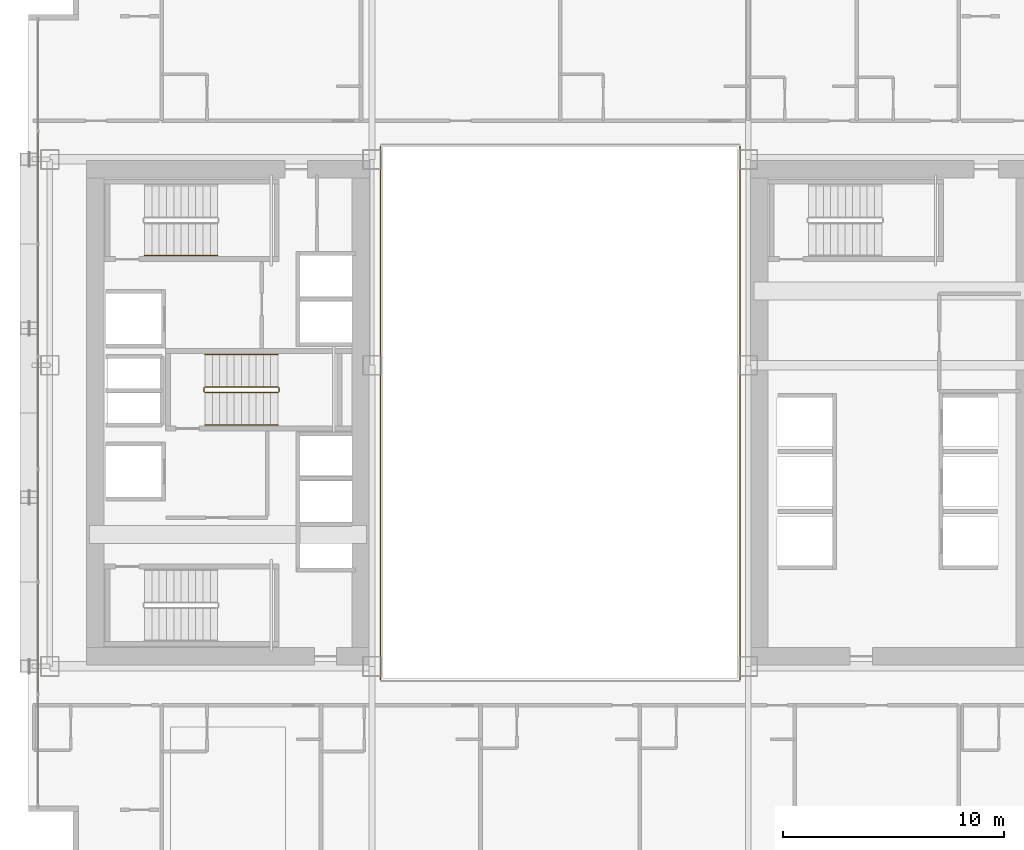
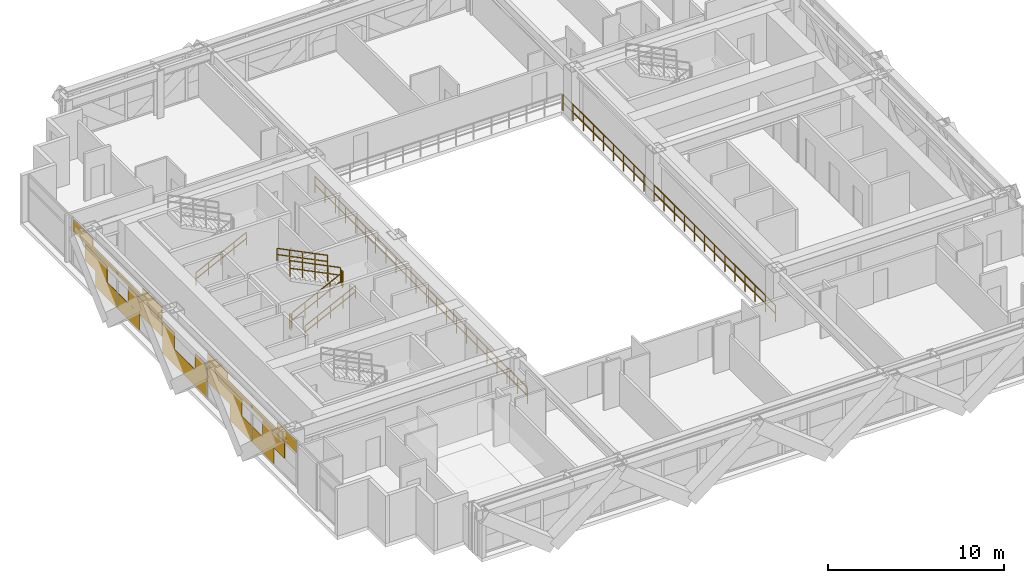
# One storey, part 33 of 35: 9 railings, 1 covering.
"""IFC4 building model written with IfcOpenShell, lengths in metres."""

from ifc_helpers import new_model, si_unit, direction, frame, origin, origin_2d, place, context, subcontext, project, spatial, rectangle, extrude, material, layer, layer_set, type_object, element, save


model = new_model("IFC4")

# Units and contexts
model_context = context("Model", 3, precision=1e-05, world=origin(), true_north=direction((0.0, 1.0)))
body_context = subcontext(model_context, "Body", "Model", "MODEL_VIEW")
ifc_project = project(units=[si_unit("LENGTHUNIT", "METRE"), si_unit("AREAUNIT", "SQUARE_METRE"), si_unit("VOLUMEUNIT", "CUBIC_METRE"), si_unit("PLANEANGLEUNIT", "RADIAN"), si_unit("MASSUNIT", "GRAM", prefix="KILO")], contexts=[model_context])

# Site, building, storey
site_placement = place(None, origin())
site = spatial("IfcSite", under=ifc_project, at=site_placement, CompositionType="ELEMENT")
building_placement = place(site_placement, origin())
building = spatial("IfcBuilding", under=site, at=building_placement, Name="Ocotamira Hotel", CompositionType="ELEMENT")
storey_placement = place(building_placement, frame((0.0, 0.0, 81.60009765625)))
storey = spatial("IfcBuildingStorey", under=building, at=storey_placement, Name="L20", CompositionType="ELEMENT", Elevation=81.60009765625)

# Covering
ifc_material_1 = material(Name="Insulated pale-metal aluminium spandrel panel", Category="aluminium")
ifc_layer = layer(ifc_material_1, 0.044921875)
ifc_layer_set = layer_set([ifc_layer], Name="Insulated pale-metal aluminium spandrel panel")
covering_type = type_object("IfcCoveringType", Name="COV-INFILL-45", PredefinedType="CLADDING", material=ifc_layer_set)
covering_placement = place(storey_placement, origin())
element("IfcCovering", 1, at=covering_placement, inside=storey, type_object=covering_type, Name="L20 Curtain Wall Infill CW-2 CW-L20-W", PredefinedType="CLADDING", context=body_context, shape_type="SweptSolid", body=[
    extrude(rectangle(XDim=2.533935546875, YDim=0.044921875, at=origin_2d()), frame((8.419921875, 15.930419921875, 1.194091796875), z_axis=(0.0, 0.0, 1.0), x_axis=(0.0, 1.0, 0.0)), (0.0, 0.0, 1.0), 1.11767578125),
    extrude(rectangle(XDim=2.457763671875, YDim=0.044921875, at=origin_2d()), frame((8.419921875, 17.10205078125, 0.0751953125), z_axis=(0.0, 0.0, 1.0), x_axis=(0.0, 1.0, 0.0)), (0.0, 0.0, 1.0), 1.117919921875),
    extrude(rectangle(XDim=5.004638671875, YDim=0.044921875, at=origin_2d()), frame((8.419921875, 15.82861328125, 2.387939453125), z_axis=(0.0, 0.0, 1.0), x_axis=(0.0, 1.0, 0.0)), (0.0, 0.0, 1.0), 0.328125),
    extrude(rectangle(XDim=2.224853515625, YDim=0.044921875, at=origin_2d()), frame((8.419921875, 14.438720703125, 2.717041015625), z_axis=(0.0, 0.0, 1.0), x_axis=(0.0, 1.0, 0.0)), (0.0, 0.0, 1.0), 0.4873046875),
    extrude(rectangle(XDim=2.4482421875, YDim=0.044921875, at=origin_2d()), frame((8.419921875, 19.635986328125, 0.0751953125), z_axis=(0.0, 0.0, 1.0), x_axis=(0.0, 1.0, 0.0)), (0.0, 0.0, 1.0), 1.117919921875),
    extrude(rectangle(XDim=3.881103515625, YDim=0.044921875, at=origin_2d()), frame((8.419921875, 21.476318359375, 1.194091796875), z_axis=(0.0, 0.0, 1.0), x_axis=(0.0, 1.0, 0.0)), (0.0, 0.0, 1.0), 1.11767578125),
    extrude(rectangle(XDim=5.004638671875, YDim=0.044921875, at=origin_2d()), frame((8.419921875, 20.914306640625, 2.387939453125), z_axis=(0.0, 0.0, 1.0), x_axis=(0.0, 1.0, 0.0)), (0.0, 0.0, 1.0), 0.328125),
    extrude(rectangle(XDim=2.234375, YDim=0.044921875, at=origin_2d()), frame((8.419921875, 22.29931640625, 2.717041015625), z_axis=(0.0, 0.0, 1.0), x_axis=(0.0, 1.0, 0.0)), (0.0, 0.0, 1.0), 0.4873046875),
    extrude(rectangle(XDim=5.004638671875, YDim=0.044921875, at=origin_2d()), frame((8.419921875, 26.0, 0.0751953125), z_axis=(0.0, 0.0, 1.0), x_axis=(0.0, 1.0, 0.0)), (0.0, 0.0, 1.0), 1.117919921875),
    extrude(rectangle(XDim=1.333251953125, YDim=0.044921875, at=origin_2d()), frame((8.419921875, 24.164306640625, 1.194091796875), z_axis=(0.0, 0.0, 1.0), x_axis=(0.0, 1.0, 0.0)), (0.0, 0.0, 1.0), 1.11767578125),
    extrude(rectangle(XDim=1.333251953125, YDim=0.044921875, at=origin_2d()), frame((8.419921875, 27.835693359375, 1.194091796875), z_axis=(0.0, 0.0, 1.0), x_axis=(0.0, 1.0, 0.0)), (0.0, 0.0, 1.0), 1.11767578125),
    extrude(rectangle(XDim=3.881103515625, YDim=0.044921875, at=origin_2d()), frame((8.419921875, 30.523681640625, 1.194091796875), z_axis=(0.0, 0.0, 1.0), x_axis=(0.0, 1.0, 0.0)), (0.0, 0.0, 1.0), 1.11767578125),
    extrude(rectangle(XDim=2.4482421875, YDim=0.044921875, at=origin_2d()), frame((8.419921875, 32.364013671875, 0.0751953125), z_axis=(0.0, 0.0, 1.0), x_axis=(0.0, 1.0, 0.0)), (0.0, 0.0, 1.0), 1.117919921875),
    extrude(rectangle(XDim=5.004638671875, YDim=0.044921875, at=origin_2d()), frame((8.419921875, 31.085693359375, 2.387939453125), z_axis=(0.0, 0.0, 1.0), x_axis=(0.0, 1.0, 0.0)), (0.0, 0.0, 1.0), 0.328125),
    extrude(rectangle(XDim=2.234375, YDim=0.044921875, at=origin_2d()), frame((8.419921875, 29.70068359375, 2.717041015625), z_axis=(0.0, 0.0, 1.0), x_axis=(0.0, 1.0, 0.0)), (0.0, 0.0, 1.0), 0.4873046875),
    extrude(rectangle(XDim=2.457763671875, YDim=0.044921875, at=origin_2d()), frame((8.419921875, 34.89794921875, 0.0751953125), z_axis=(0.0, 0.0, 1.0), x_axis=(0.0, 1.0, 0.0)), (0.0, 0.0, 1.0), 1.117919921875),
    extrude(rectangle(XDim=2.533935546875, YDim=0.044921875, at=origin_2d()), frame((8.419921875, 36.069580078125, 1.194091796875), z_axis=(0.0, 0.0, 1.0), x_axis=(0.0, 1.0, 0.0)), (0.0, 0.0, 1.0), 1.11767578125),
    extrude(rectangle(XDim=5.004638671875, YDim=0.044921875, at=origin_2d()), frame((8.419921875, 36.17138671875, 2.387939453125), z_axis=(0.0, 0.0, 1.0), x_axis=(0.0, 1.0, 0.0)), (0.0, 0.0, 1.0), 0.328125),
    extrude(rectangle(XDim=2.224853515625, YDim=0.044921875, at=origin_2d()), frame((8.419921875, 37.561279296875, 2.717041015625), z_axis=(0.0, 0.0, 1.0), x_axis=(0.0, 1.0, 0.0)), (0.0, 0.0, 1.0), 0.4873046875),
])

# Railings
ifc_material_2 = material(Name="Painted steel stair guardrail", Category="steel")
railing_type_1 = type_object("IfcRailingType", Name="RL-EDGE-1150", PredefinedType="GUARDRAIL", material=ifc_material_2)
railing_1_placement = place(storey_placement, frame((40.1201171875, 13.9599609375, 0.0)))
element("IfcRailing", 2, at=railing_1_placement, inside=storey, type_object=railing_type_1, Name="L20 Central Atrium Edge Guardrail E", PredefinedType="GUARDRAIL", context=body_context, shape_type="SweptSolid", body=[
    extrude(rectangle(XDim=0.048095703125, YDim=0.048095703125, at=origin_2d()), frame((0.0, 0.0, 1.1259765625), z_axis=(0.0, 1.0, 0.0), x_axis=(-1.0, 0.0, 0.0)), (0.0, 0.0, 1.0), 24.080078125),
    extrude(rectangle(XDim=0.048095703125, YDim=0.048095703125, at=origin_2d()), frame((0.0, 0.0, 0.574951171875), z_axis=(0.0, 1.0, 0.0), x_axis=(-1.0, 0.0, 0.0)), (0.0, 0.0, 1.0), 24.080078125),
    extrude(rectangle(XDim=0.0419921875, YDim=0.0419921875, at=origin_2d()), origin(), (0.0, 0.0, 1.0), 1.101806640625),
    extrude(rectangle(XDim=0.0419921875, YDim=0.0419921875, at=origin_2d()), frame((0.0, 1.146728515625, 0.0)), (0.0, 0.0, 1.0), 1.101806640625),
    extrude(rectangle(XDim=0.0419921875, YDim=0.0419921875, at=origin_2d()), frame((0.0, 2.29345703125, 0.0)), (0.0, 0.0, 1.0), 1.101806640625),
    extrude(rectangle(XDim=0.0419921875, YDim=0.0419921875, at=origin_2d()), frame((0.0, 3.43994140625, 0.0)), (0.0, 0.0, 1.0), 1.101806640625),
    extrude(rectangle(XDim=0.0419921875, YDim=0.0419921875, at=origin_2d()), frame((0.0, 4.586669921875, 0.0)), (0.0, 0.0, 1.0), 1.101806640625),
    extrude(rectangle(XDim=0.0419921875, YDim=0.0419921875, at=origin_2d()), frame((0.0, 5.7333984375, 0.0)), (0.0, 0.0, 1.0), 1.101806640625),
    extrude(rectangle(XDim=0.0419921875, YDim=0.0419921875, at=origin_2d()), frame((0.0, 6.880126953125, 0.0)), (0.0, 0.0, 1.0), 1.101806640625),
    extrude(rectangle(XDim=0.0419921875, YDim=0.0419921875, at=origin_2d()), frame((0.0, 8.026611328125, 0.0)), (0.0, 0.0, 1.0), 1.101806640625),
    extrude(rectangle(XDim=0.0419921875, YDim=0.0419921875, at=origin_2d()), frame((0.0, 9.17333984375, 0.0)), (0.0, 0.0, 1.0), 1.101806640625),
    extrude(rectangle(XDim=0.0419921875, YDim=0.0419921875, at=origin_2d()), frame((0.0, 10.320068359375, 0.0)), (0.0, 0.0, 1.0), 1.101806640625),
    extrude(rectangle(XDim=0.0419921875, YDim=0.0419921875, at=origin_2d()), frame((0.0, 11.466796875, 0.0)), (0.0, 0.0, 1.0), 1.101806640625),
    extrude(rectangle(XDim=0.0419921875, YDim=0.0419921875, at=origin_2d()), frame((0.0, 12.61328125, 0.0)), (0.0, 0.0, 1.0), 1.101806640625),
    extrude(rectangle(XDim=0.0419921875, YDim=0.0419921875, at=origin_2d()), frame((0.0, 13.760009765625, 0.0)), (0.0, 0.0, 1.0), 1.101806640625),
    extrude(rectangle(XDim=0.0419921875, YDim=0.0419921875, at=origin_2d()), frame((0.0, 14.90673828125, 0.0)), (0.0, 0.0, 1.0), 1.101806640625),
    extrude(rectangle(XDim=0.0419921875, YDim=0.0419921875, at=origin_2d()), frame((0.0, 16.053466796875, 0.0)), (0.0, 0.0, 1.0), 1.101806640625),
    extrude(rectangle(XDim=0.0419921875, YDim=0.0419921875, at=origin_2d()), frame((0.0, 17.199951171875, 0.0)), (0.0, 0.0, 1.0), 1.101806640625),
    extrude(rectangle(XDim=0.0419921875, YDim=0.0419921875, at=origin_2d()), frame((0.0, 18.3466796875, 0.0)), (0.0, 0.0, 1.0), 1.101806640625),
    extrude(rectangle(XDim=0.0419921875, YDim=0.0419921875, at=origin_2d()), frame((0.0, 19.493408203125, 0.0)), (0.0, 0.0, 1.0), 1.101806640625),
    extrude(rectangle(XDim=0.0419921875, YDim=0.0419921875, at=origin_2d()), frame((0.0, 20.64013671875, 0.0)), (0.0, 0.0, 1.0), 1.101806640625),
    extrude(rectangle(XDim=0.0419921875, YDim=0.0419921875, at=origin_2d()), frame((0.0, 21.78662109375, 0.0)), (0.0, 0.0, 1.0), 1.101806640625),
    extrude(rectangle(XDim=0.0419921875, YDim=0.0419921875, at=origin_2d()), frame((0.0, 22.933349609375, 0.0)), (0.0, 0.0, 1.0), 1.101806640625),
    extrude(rectangle(XDim=0.0419921875, YDim=0.0419921875, at=origin_2d()), frame((0.0, 24.080078125, 0.0)), (0.0, 0.0, 1.0), 1.101806640625),
])
railing_2_placement = place(storey_placement, frame((23.8798828125, 38.0400390625, 0.0)))
element("IfcRailing", 3, at=railing_2_placement, inside=storey, type_object=railing_type_1, Name="L20 Central Atrium Edge Guardrail W", PredefinedType="GUARDRAIL", context=body_context, shape_type="SweptSolid", body=[
    extrude(rectangle(XDim=0.048095703125, YDim=0.048095703125, at=origin_2d()), frame((0.0, 0.0, 1.1259765625), z_axis=(0.0, -1.0, 0.0), x_axis=(1.0, 0.0, 0.0)), (0.0, 0.0, 1.0), 24.080078125),
    extrude(rectangle(XDim=0.048095703125, YDim=0.048095703125, at=origin_2d()), frame((0.0, 0.0, 0.574951171875), z_axis=(0.0, -1.0, 0.0), x_axis=(1.0, 0.0, 0.0)), (0.0, 0.0, 1.0), 24.080078125),
    extrude(rectangle(XDim=0.0419921875, YDim=0.0419921875, at=origin_2d()), origin(), (0.0, 0.0, 1.0), 1.101806640625),
    extrude(rectangle(XDim=0.0419921875, YDim=0.0419921875, at=origin_2d()), frame((0.0, -1.146728515625, 0.0)), (0.0, 0.0, 1.0), 1.101806640625),
    extrude(rectangle(XDim=0.0419921875, YDim=0.0419921875, at=origin_2d()), frame((0.0, -2.29345703125, 0.0)), (0.0, 0.0, 1.0), 1.101806640625),
    extrude(rectangle(XDim=0.0419921875, YDim=0.0419921875, at=origin_2d()), frame((0.0, -3.43994140625, 0.0)), (0.0, 0.0, 1.0), 1.101806640625),
    extrude(rectangle(XDim=0.0419921875, YDim=0.0419921875, at=origin_2d()), frame((0.0, -4.586669921875, 0.0)), (0.0, 0.0, 1.0), 1.101806640625),
    extrude(rectangle(XDim=0.0419921875, YDim=0.0419921875, at=origin_2d()), frame((0.0, -5.7333984375, 0.0)), (0.0, 0.0, 1.0), 1.101806640625),
    extrude(rectangle(XDim=0.0419921875, YDim=0.0419921875, at=origin_2d()), frame((0.0, -6.880126953125, 0.0)), (0.0, 0.0, 1.0), 1.101806640625),
    extrude(rectangle(XDim=0.0419921875, YDim=0.0419921875, at=origin_2d()), frame((0.0, -8.026611328125, 0.0)), (0.0, 0.0, 1.0), 1.101806640625),
    extrude(rectangle(XDim=0.0419921875, YDim=0.0419921875, at=origin_2d()), frame((0.0, -9.17333984375, 0.0)), (0.0, 0.0, 1.0), 1.101806640625),
    extrude(rectangle(XDim=0.0419921875, YDim=0.0419921875, at=origin_2d()), frame((0.0, -10.320068359375, 0.0)), (0.0, 0.0, 1.0), 1.101806640625),
    extrude(rectangle(XDim=0.0419921875, YDim=0.0419921875, at=origin_2d()), frame((0.0, -11.466796875, 0.0)), (0.0, 0.0, 1.0), 1.101806640625),
    extrude(rectangle(XDim=0.0419921875, YDim=0.0419921875, at=origin_2d()), frame((0.0, -12.61328125, 0.0)), (0.0, 0.0, 1.0), 1.101806640625),
    extrude(rectangle(XDim=0.0419921875, YDim=0.0419921875, at=origin_2d()), frame((0.0, -13.760009765625, 0.0)), (0.0, 0.0, 1.0), 1.101806640625),
    extrude(rectangle(XDim=0.0419921875, YDim=0.0419921875, at=origin_2d()), frame((0.0, -14.90673828125, 0.0)), (0.0, 0.0, 1.0), 1.101806640625),
    extrude(rectangle(XDim=0.0419921875, YDim=0.0419921875, at=origin_2d()), frame((0.0, -16.053466796875, 0.0)), (0.0, 0.0, 1.0), 1.101806640625),
    extrude(rectangle(XDim=0.0419921875, YDim=0.0419921875, at=origin_2d()), frame((0.0, -17.199951171875, 0.0)), (0.0, 0.0, 1.0), 1.101806640625),
    extrude(rectangle(XDim=0.0419921875, YDim=0.0419921875, at=origin_2d()), frame((0.0, -18.3466796875, 0.0)), (0.0, 0.0, 1.0), 1.101806640625),
    extrude(rectangle(XDim=0.0419921875, YDim=0.0419921875, at=origin_2d()), frame((0.0, -19.493408203125, 0.0)), (0.0, 0.0, 1.0), 1.101806640625),
    extrude(rectangle(XDim=0.0419921875, YDim=0.0419921875, at=origin_2d()), frame((0.0, -20.64013671875, 0.0)), (0.0, 0.0, 1.0), 1.101806640625),
    extrude(rectangle(XDim=0.0419921875, YDim=0.0419921875, at=origin_2d()), frame((0.0, -21.78662109375, 0.0)), (0.0, 0.0, 1.0), 1.101806640625),
    extrude(rectangle(XDim=0.0419921875, YDim=0.0419921875, at=origin_2d()), frame((0.0, -22.933349609375, 0.0)), (0.0, 0.0, 1.0), 1.101806640625),
    extrude(rectangle(XDim=0.0419921875, YDim=0.0419921875, at=origin_2d()), frame((0.0, -24.080078125, 0.0)), (0.0, 0.0, 1.0), 1.101806640625),
])
ifc_material_3 = material(Name="Brushed stainless steel handrail", Category="steel")
railing_type_2 = type_object("IfcRailingType", Name="RL-HAND-900", PredefinedType="HANDRAIL", material=ifc_material_3)
for number, where, name in (
    (4, (13.22998046875, 33.10009765625, 0.3271484375), "L20 ST-2 stair handrail 1"),
    (5, (15.9599609375, 25.449951171875, 0.3271484375), "L20 ST-3 stair handrail 1"),
):
    element("IfcRailing", number, at=place(storey_placement, frame(where)), inside=storey, type_object=railing_type_2, Name=name, PredefinedType="HANDRAIL", context=body_context, shape_type="SweptSolid", body=[
        extrude(rectangle(XDim=0.048095703125, YDim=0.048095703125, at=origin_2d()), frame((0.0, 0.0, 0.8759765625), z_axis=(0.895893744519, 0.0, 0.4442683857), x_axis=(0.0, 1.0, 0.0)), (0.0, 0.0, 1.0), 3.68359375),
        extrude(rectangle(XDim=0.048095703125, YDim=0.048095703125, at=origin_2d()), frame((0.0, 0.0, 0.449951171875), z_axis=(0.895893744519, 0.0, 0.4442683857), x_axis=(0.0, 1.0, 0.0)), (0.0, 0.0, 1.0), 3.68359375),
        extrude(rectangle(XDim=0.0419921875, YDim=0.0419921875, at=origin_2d()), origin(), (0.0, 0.0, 1.0), 0.851806640625),
        extrude(rectangle(XDim=0.0419921875, YDim=0.0419921875, at=origin_2d()), frame((0.824951171875, 0.0, 0.4091796875)), (0.0, 0.0, 1.0), 0.851806640625),
        extrude(rectangle(XDim=0.0419921875, YDim=0.0419921875, at=origin_2d()), frame((1.64990234375, 0.0, 0.818359375)), (0.0, 0.0, 1.0), 0.851806640625),
        extrude(rectangle(XDim=0.0419921875, YDim=0.0419921875, at=origin_2d()), frame((2.47509765625, 0.0, 1.227294921875)), (0.0, 0.0, 1.0), 0.851806640625),
        extrude(rectangle(XDim=0.0419921875, YDim=0.0419921875, at=origin_2d()), frame((3.300048828125, 0.0, 1.636474609375)), (0.0, 0.0, 1.0), 0.851806640625),
    ])
railing_3_placement = place(storey_placement, frame((19.260009765625, 28.6298828125, 2.127197265625)))
element("IfcRailing", 6, at=railing_3_placement, inside=storey, type_object=railing_type_2, Name="L20 ST-3 stair handrail 2", PredefinedType="HANDRAIL", context=body_context, shape_type="SweptSolid", body=[
    extrude(rectangle(XDim=0.048095703125, YDim=0.048095703125, at=origin_2d()), frame((0.0, 0.0, 0.8759765625), z_axis=(-0.895920123917, 0.0, 0.444215186098), x_axis=(0.0, -1.0, 0.0)), (0.0, 0.0, 1.0), 3.683349609375),
    extrude(rectangle(XDim=0.048095703125, YDim=0.048095703125, at=origin_2d()), frame((0.0, 0.0, 0.449951171875), z_axis=(-0.895920123917, 0.0, 0.444215186098), x_axis=(0.0, -1.0, 0.0)), (0.0, 0.0, 1.0), 3.683349609375),
    extrude(rectangle(XDim=0.0419921875, YDim=0.0419921875, at=origin_2d()), origin(), (0.0, 0.0, 1.0), 0.851806640625),
    extrude(rectangle(XDim=0.0419921875, YDim=0.0419921875, at=origin_2d()), frame((-0.824951171875, 0.0, 0.4091796875)), (0.0, 0.0, 1.0), 0.851806640625),
    extrude(rectangle(XDim=0.0419921875, YDim=0.0419921875, at=origin_2d()), frame((-1.64990234375, 0.0, 0.818115234375)), (0.0, 0.0, 1.0), 0.851806640625),
    extrude(rectangle(XDim=0.0419921875, YDim=0.0419921875, at=origin_2d()), frame((-2.47509765625, 0.0, 1.22705078125)), (0.0, 0.0, 1.0), 0.851806640625),
    extrude(rectangle(XDim=0.0419921875, YDim=0.0419921875, at=origin_2d()), frame((-3.300048828125, 0.0, 1.63623046875)), (0.0, 0.0, 1.0), 0.851806640625),
])
railing_type_3 = type_object("IfcRailingType", Name="RL-STAIR-1100", PredefinedType="GUARDRAIL", material=ifc_material_2)
railing_4_placement = place(storey_placement, frame((15.9599609375, 26.909912109375, 0.16357421875)))
element("IfcRailing", 7, at=railing_4_placement, inside=storey, type_object=railing_type_3, Name="L20 ST-3 stair guard 1", PredefinedType="GUARDRAIL", context=body_context, shape_type="SweptSolid", body=[
    extrude(rectangle(XDim=0.048095703125, YDim=0.048095703125, at=origin_2d()), frame((0.0, 0.0, 1.076171875), z_axis=(0.895920123917, 0.0, 0.444215186098), x_axis=(0.0, 1.0, 0.0)), (0.0, 0.0, 1.0), 3.683349609375),
    extrude(rectangle(XDim=0.048095703125, YDim=0.048095703125, at=origin_2d()), frame((0.0, 0.0, 0.550048828125), z_axis=(0.895920123917, 0.0, 0.444215186098), x_axis=(0.0, 1.0, 0.0)), (0.0, 0.0, 1.0), 3.683349609375),
    extrude(rectangle(XDim=0.0419921875, YDim=0.0419921875, at=origin_2d()), origin(), (0.0, 0.0, 1.0), 1.052001953125),
    extrude(rectangle(XDim=0.0419921875, YDim=0.0419921875, at=origin_2d()), frame((0.824951171875, 0.0, 0.4091796875)), (0.0, 0.0, 1.0), 1.052001953125),
    extrude(rectangle(XDim=0.0419921875, YDim=0.0419921875, at=origin_2d()), frame((1.64990234375, 0.0, 0.818115234375)), (0.0, 0.0, 1.0), 1.052001953125),
    extrude(rectangle(XDim=0.0419921875, YDim=0.0419921875, at=origin_2d()), frame((2.47509765625, 0.0, 1.22705078125)), (0.0, 0.0, 1.0), 1.052001953125),
    extrude(rectangle(XDim=0.0419921875, YDim=0.0419921875, at=origin_2d()), frame((3.300048828125, 0.0, 1.63623046875)), (0.0, 0.0, 1.0), 1.052001953125),
])
railing_5_placement = place(storey_placement, frame((19.31005859375, 26.9599609375, 1.7998046875)))
element("IfcRailing", 8, at=railing_5_placement, inside=storey, type_object=railing_type_3, Name="L20 ST-3 stair guard 2", PredefinedType="GUARDRAIL", context=body_context, shape_type="SweptSolid", body=[
    extrude(rectangle(XDim=0.048095703125, YDim=0.048095703125, at=origin_2d()), frame((0.0, 0.0, 1.076171875), z_axis=(0.0, 1.0, 0.0), x_axis=(-1.0, 0.0, 0.0)), (0.0, 0.0, 1.0), 0.16015625),
    extrude(rectangle(XDim=0.048095703125, YDim=0.048095703125, at=origin_2d()), frame((0.0, 0.0, 0.550048828125), z_axis=(0.0, 1.0, 0.0), x_axis=(-1.0, 0.0, 0.0)), (0.0, 0.0, 1.0), 0.16015625),
    extrude(rectangle(XDim=0.0419921875, YDim=0.0419921875, at=origin_2d()), origin(), (0.0, 0.0, 1.0), 1.052001953125),
    extrude(rectangle(XDim=0.0419921875, YDim=0.0419921875, at=origin_2d()), frame((0.0, 0.16015625, 0.0)), (0.0, 0.0, 1.0), 1.052001953125),
])
railing_6_placement = place(storey_placement, frame((19.260009765625, 27.169921875, 1.963623046875)))
element("IfcRailing", 9, at=railing_6_placement, inside=storey, type_object=railing_type_3, Name="L20 ST-3 stair guard 3", PredefinedType="GUARDRAIL", context=body_context, shape_type="SweptSolid", body=[
    extrude(rectangle(XDim=0.048095703125, YDim=0.048095703125, at=origin_2d()), frame((0.0, 0.0, 1.076171875), z_axis=(-0.895920123917, 0.0, 0.444215186098), x_axis=(0.0, -1.0, 0.0)), (0.0, 0.0, 1.0), 3.683349609375),
    extrude(rectangle(XDim=0.048095703125, YDim=0.048095703125, at=origin_2d()), frame((0.0, 0.0, 0.550048828125), z_axis=(-0.895920123917, 0.0, 0.444215186098), x_axis=(0.0, -1.0, 0.0)), (0.0, 0.0, 1.0), 3.683349609375),
    extrude(rectangle(XDim=0.0419921875, YDim=0.0419921875, at=origin_2d()), origin(), (0.0, 0.0, 1.0), 1.052001953125),
    extrude(rectangle(XDim=0.0419921875, YDim=0.0419921875, at=origin_2d()), frame((-0.824951171875, 0.0, 0.4091796875)), (0.0, 0.0, 1.0), 1.052001953125),
    extrude(rectangle(XDim=0.0419921875, YDim=0.0419921875, at=origin_2d()), frame((-1.64990234375, 0.0, 0.818115234375)), (0.0, 0.0, 1.0), 1.052001953125),
    extrude(rectangle(XDim=0.0419921875, YDim=0.0419921875, at=origin_2d()), frame((-2.47509765625, 0.0, 1.22705078125)), (0.0, 0.0, 1.0), 1.052001953125),
    extrude(rectangle(XDim=0.0419921875, YDim=0.0419921875, at=origin_2d()), frame((-3.300048828125, 0.0, 1.63623046875)), (0.0, 0.0, 1.0), 1.052001953125),
])
railing_7_placement = place(storey_placement, frame((15.909912109375, 26.9599609375, 0.0)))
element("IfcRailing", 10, at=railing_7_placement, inside=storey, type_object=railing_type_3, Name="L20 ST-3 stair guard 4", PredefinedType="GUARDRAIL", context=body_context, shape_type="SweptSolid", body=[
    extrude(rectangle(XDim=0.048095703125, YDim=0.048095703125, at=origin_2d()), frame((0.0, 0.0, 1.076171875), z_axis=(0.0, 1.0, 0.0), x_axis=(-1.0, 0.0, 0.0)), (0.0, 0.0, 1.0), 0.16015625),
    extrude(rectangle(XDim=0.048095703125, YDim=0.048095703125, at=origin_2d()), frame((0.0, 0.0, 0.550048828125), z_axis=(0.0, 1.0, 0.0), x_axis=(-1.0, 0.0, 0.0)), (0.0, 0.0, 1.0), 0.16015625),
    extrude(rectangle(XDim=0.0419921875, YDim=0.0419921875, at=origin_2d()), origin(), (0.0, 0.0, 1.0), 1.052001953125),
    extrude(rectangle(XDim=0.0419921875, YDim=0.0419921875, at=origin_2d()), frame((0.0, 0.16015625, 0.0)), (0.0, 0.0, 1.0), 1.052001953125),
])

save(model, "model.ifc")
